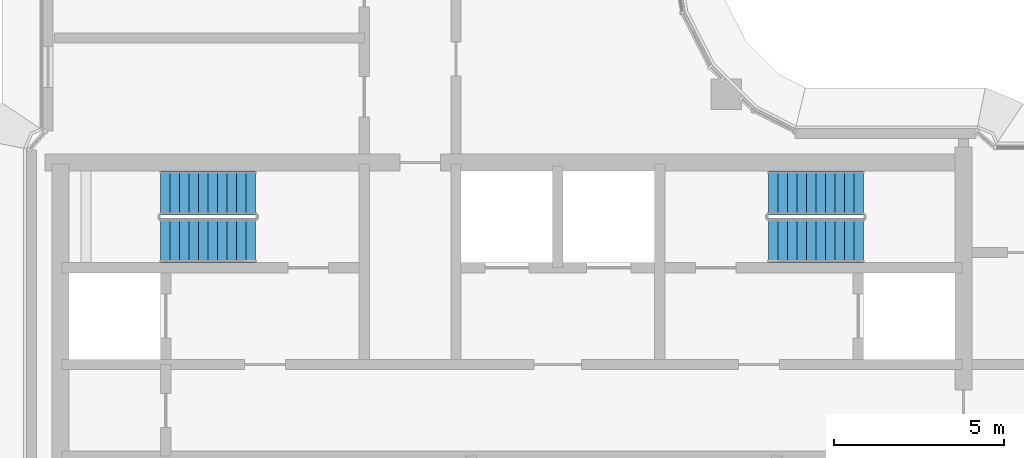
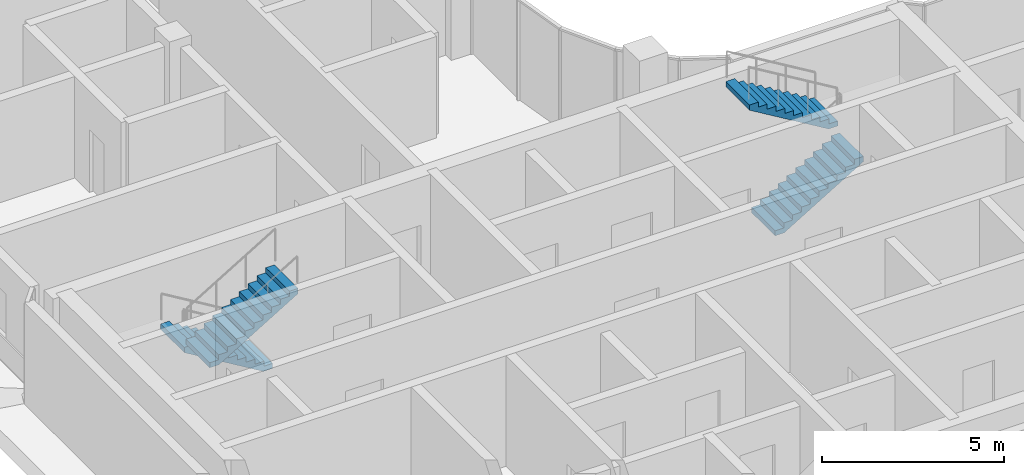
# One storey, part 14 of 20: 4 stair flights, 2 elements without a shape of their own.
"""IFC4 building model written with IfcOpenShell, lengths in metres."""

import ifcopenshell
import ifcopenshell.guid

model = None  # the IFC model being written
_history = None  # IfcOwnerHistory: only IFC2X3 demands one
_inside = {}  # id of a spatial element -> (the spatial element, [elements in it])
_under = {}  # id of a project, library or spatial element -> (it, [spatial elements below it])
_declared = {}  # id of a project -> (the project, [libraries it declares])
_typed = {}  # id of a type object -> (the type object, [elements of that type])
_made_of = {}  # id of a material, layer set ... -> (it, [elements and type objects made of it])


def new_model(schema):
    """Start an empty IFC model of exactly this schema.

    Asked for "IFC4X3", IfcOpenShell would pick the latest addendum, in which some entities
    have other attributes; the version numbers below select the first issue.
    IFC2X3 requires an IfcOwnerHistory on every rooted entity: one is made here for all.
    """
    global model, _history
    if schema == "IFC4X3":
        model = ifcopenshell.file(schema_version=(4, 3, 0, 0))
    else:
        model = ifcopenshell.file(schema=schema)
    _inside.clear()
    _under.clear()
    _declared.clear()
    _typed.clear()
    _made_of.clear()
    _history = None
    if model.schema == "IFC2X3":
        org = make("IfcOrganization", Name="unknown")
        user = make(
            "IfcPersonAndOrganization",
            ThePerson=make("IfcPerson", FamilyName="unknown"),
            TheOrganization=org,
        )
        app = make(
            "IfcApplication",
            ApplicationDeveloper=org,
            Version="unknown",
            ApplicationFullName="unknown",
            ApplicationIdentifier="unknown",
        )
        _history = make(
            "IfcOwnerHistory",
            OwningUser=user,
            OwningApplication=app,
            ChangeAction="ADDED",
            CreationDate=0,
        )
    return model


def make(cls, **values):
    """One entity of the class cls with the attributes given. An attribute that is None is left unset."""
    return model.create_entity(
        cls, **{name: value for name, value in values.items() if value is not None}
    )


def rooted(cls, **values):
    """An entity with a GlobalId (a new one), such as an element, a storey or a relation."""
    return make(cls, GlobalId=ifcopenshell.guid.new(), OwnerHistory=_history, **values)


def si_unit(unit_type, name, prefix=None):
    """IfcSIUnit, for example si_unit("LENGTHUNIT", "METRE", prefix="MILLI")."""
    return make("IfcSIUnit", UnitType=unit_type, Prefix=prefix, Name=name)


def assignment(units):
    """IfcUnitAssignment: the units of a project."""
    return None if units is None else make("IfcUnitAssignment", Units=units)


def point(xyz):
    """IfcCartesianPoint."""
    return None if xyz is None else make("IfcCartesianPoint", Coordinates=xyz)


def direction(xyz):
    """IfcDirection."""
    return None if xyz is None else make("IfcDirection", DirectionRatios=xyz)


def frame(location, z_axis=None, x_axis=None):
    """IfcAxis2Placement3D, a coordinate frame: its origin and axes. An axis left out is left unset."""
    return make(
        "IfcAxis2Placement3D",
        Location=point(location),
        Axis=direction(z_axis),
        RefDirection=direction(x_axis),
    )


def origin():
    """The frame at (0, 0, 0) with its axes left unset."""
    return frame((0.0, 0.0, 0.0))


def place(relative_to, where):
    """IfcLocalPlacement: puts the frame where relative to a parent placement (None: the world)."""
    return make(
        "IfcLocalPlacement", PlacementRelTo=relative_to, RelativePlacement=where
    )


def context(
    kind, dimensions, precision=None, world=None, true_north=None, identifier=None
):
    """IfcGeometricRepresentationContext, for example the 3D "Model" context."""
    return make(
        "IfcGeometricRepresentationContext",
        ContextIdentifier=identifier,
        ContextType=kind,
        CoordinateSpaceDimension=dimensions,
        Precision=precision,
        WorldCoordinateSystem=world,
        TrueNorth=true_north,
    )


def subcontext(parent, identifier, kind, view, scale=None):
    """IfcGeometricRepresentationSubContext, for example "Body" below "Model"."""
    return make(
        "IfcGeometricRepresentationSubContext",
        ContextIdentifier=identifier,
        ContextType=kind,
        ParentContext=parent,
        TargetScale=scale,
        TargetView=view,
    )


def project(units=None, contexts=None):
    """IfcProject with its units and contexts."""
    return rooted(
        "IfcProject",
        Name="project",
        RepresentationContexts=contexts,
        UnitsInContext=assignment(units),
    )


def spatial(cls, under=None, at=None, **own):
    """A site, building, storey or space (cls), placed at a placement, below another one or the project."""
    s = rooted(cls, ObjectPlacement=at, **own)
    if under is not None:
        _under.setdefault(under.id(), (under, []))[1].append(s)
    return s


def point_list(points):
    """IfcCartesianPointList2D or 3D."""
    cls = (
        "IfcCartesianPointList2D" if len(points[0]) == 2 else "IfcCartesianPointList3D"
    )
    return make(cls, CoordList=points)


def triangles(points, corners, closed=None, point_numbers=None):
    """IfcTriangulatedFaceSet: each triangle names its three corners, points numbered from 1."""
    return make(
        "IfcTriangulatedFaceSet",
        Coordinates=point_list(points),
        Closed=closed,
        CoordIndex=corners,
        PnIndex=point_numbers,
    )


def shape(context_of_items, identifier, shape_type, items):
    """IfcShapeRepresentation: the items that make up one representation, for example the "Body"."""
    return make(
        "IfcShapeRepresentation",
        ContextOfItems=context_of_items,
        RepresentationIdentifier=identifier,
        RepresentationType=shape_type,
        Items=items,
    )


def source(mapping_origin, context_of_items, identifier, shape_type, items):
    """IfcRepresentationMap: a shape defined once, which mapped items show again and again."""
    return make(
        "IfcRepresentationMap",
        MappingOrigin=mapping_origin,
        MappedRepresentation=shape(context_of_items, identifier, shape_type, items),
    )


def transform(
    local_origin,
    x_axis=None,
    y_axis=None,
    z_axis=None,
    scale=None,
    scale2=None,
    scale3=None,
    uniform=True,
):
    """IfcCartesianTransformationOperator3D, or its non-uniform kind. x_axis, y_axis, z_axis: its Axis1, 2, 3."""
    if uniform:
        return make(
            "IfcCartesianTransformationOperator3D",
            Axis1=direction(x_axis),
            Axis2=direction(y_axis),
            LocalOrigin=point(local_origin),
            Scale=scale,
            Axis3=direction(z_axis),
        )
    return make(
        "IfcCartesianTransformationOperator3DnonUniform",
        Axis1=direction(x_axis),
        Axis2=direction(y_axis),
        LocalOrigin=point(local_origin),
        Scale=scale,
        Axis3=direction(z_axis),
        Scale2=scale2,
        Scale3=scale3,
    )


def mapped(mapping_source, mapping_target):
    """IfcMappedItem: shows the shape of a source again, moved by a transform."""
    return make(
        "IfcMappedItem", MappingSource=mapping_source, MappingTarget=mapping_target
    )


def material(Name=None, Category=None):
    """IfcMaterial."""
    return make("IfcMaterial", Name=Name, Category=Category)


def made_of(thing, what):
    """Note that an element or type object is made of a material, layer set ...; save() writes the relation."""
    if what is not None:
        _made_of.setdefault(what.id(), (what, []))[1].append(thing)
    return thing


def type_object(cls, material=None, **own):
    """A type object (cls), such as IfcWallType, which elements share."""
    return made_of(rooted(cls, **own), material)


def element(
    cls,
    number,
    at=None,
    inside=None,
    cuts=None,
    type_object=None,
    material=None,
    context=None,
    identifier="Body",
    shape_type=None,
    held_by="IfcProductDefinitionShape",
    body=None,
    shapes=None,
    **own,
):
    """One element of the class cls, such as IfcWall. Its Tag is "e" and its number.

    at: its placement. inside: the storey or other place that contains it. cuts: it is an
    opening in that element (IfcRelVoidsElement). A single representation is given by context,
    identifier, shape_type and body (its items); several are given by shapes. held_by: the class
    of the entity that holds the representations. save() writes the other relations.
    """
    e = rooted(cls, Tag="e%d" % number, ObjectPlacement=at, **own)
    if body is not None:
        shapes = [shape(context, identifier, shape_type, body)]
    if shapes is not None:
        e.Representation = make(held_by, Representations=shapes)
    if inside is not None:
        _inside.setdefault(inside.id(), (inside, []))[1].append(e)
    if cuts is not None:
        rooted(
            "IfcRelVoidsElement", RelatingBuildingElement=cuts, RelatedOpeningElement=e
        )
    if type_object is not None:
        _typed.setdefault(type_object.id(), (type_object, []))[1].append(e)
    return made_of(e, material)


def aggregate(whole, parts):
    """IfcRelAggregates: a whole, such as a stair, and the parts it consists of."""
    return rooted("IfcRelAggregates", RelatingObject=whole, RelatedObjects=parts)


def save(model, path):
    """Write the relations noted so far, then the file.

    IfcRelAggregates (storeys below a building ...), IfcRelContainedInSpatialStructure (elements
    in a storey), IfcRelDefinesByType, IfcRelAssociatesMaterial and IfcRelDeclares: one each for
    every whole, place, type object, material and project.
    """
    for whole, parts in _under.values():
        aggregate(whole, parts)
    for where, things in _inside.values():
        rooted(
            "IfcRelContainedInSpatialStructure",
            RelatedElements=things,
            RelatingStructure=where,
        )
    for kind, things in _typed.values():
        rooted("IfcRelDefinesByType", RelatedObjects=things, RelatingType=kind)
    for what, things in _made_of.values():
        rooted("IfcRelAssociatesMaterial", RelatedObjects=things, RelatingMaterial=what)
    for by, libraries in _declared.values():
        rooted("IfcRelDeclares", RelatingContext=by, RelatedDefinitions=libraries)
    model.write(path)


model = new_model("IFC4")

# Units and contexts
model_context = context("Model", 3, precision=1e-05, world=origin(), true_north=direction((0.0, 1.0)))
body_context = subcontext(model_context, "Body", "Model", "MODEL_VIEW")
ifc_project = project(units=[si_unit("LENGTHUNIT", "METRE"), si_unit("AREAUNIT", "SQUARE_METRE"), si_unit("VOLUMEUNIT", "CUBIC_METRE"), si_unit("PLANEANGLEUNIT", "RADIAN"), si_unit("MASSUNIT", "GRAM", prefix="KILO")], contexts=[model_context])

# Site, building, storey
site_placement = place(None, origin())
site = spatial("IfcSite", under=ifc_project, at=site_placement, CompositionType="ELEMENT")
building_placement = place(site_placement, origin())
building = spatial("IfcBuilding", under=site, at=building_placement, Name="Ogive Portal Towers", CompositionType="ELEMENT")
storey_placement = place(building_placement, frame((0.0, 0.0, 214.300048828125)))
storey = spatial("IfcBuildingStorey", under=building, at=storey_placement, Name="L53", CompositionType="ELEMENT", Elevation=214.300048828125)

# Stair, stair flights
ifc_material = material(Name="Concrete C40/50", Category="concrete")
stair_type = type_object("IfcStairType", Name="INT-STAIR", PredefinedType="HALF_TURN_STAIR", material=ifc_material)
stair_1_placement = place(storey_placement, origin())
stair_1 = element("IfcStair", 1, at=stair_1_placement, inside=storey, type_object=stair_type, Name="L53 Exit Stair ST-A1", PredefinedType="HALF_TURN_STAIR")
stair_flight_type = type_object("IfcStairFlightType", Name="INT-FLIGHT", PredefinedType="STRAIGHT", material=ifc_material)
shared_shape = source(origin(), body_context, "Body", "Tessellation", [
    triangles([(0.0, -0.650146484375, 0.0), (0.0, -0.376220703125, 0.0), (0.0, -0.192626953125, 0.0), (0.0, -0.081298828125, 0.0), (0.0, -0.024169921875, 0.0), (0.0, -0.003173828125, 0.0), (0.0, 0.0, 0.0), (0.0, 0.0029296875, 0.0), (0.0, 0.02392578125, 0.0), (0.0, 0.0810546875, 0.0), (0.0, 0.1923828125, 0.0), (0.0, 0.3759765625, 0.0), (0.0, 0.64990234375, 0.0), (0.0, -0.650146484375, 0.168212890625), (0.0, -0.376220703125, 0.168212890625), (0.0, -0.192626953125, 0.168212890625), (0.0, -0.081298828125, 0.168212890625), (0.0, -0.024169921875, 0.168212890625), (0.0, -0.003173828125, 0.168212890625), (0.0, 0.0, 0.168212890625), (0.0, 0.0029296875, 0.168212890625), (0.0, 0.02392578125, 0.168212890625), (0.0, 0.0810546875, 0.168212890625), (0.0, 0.1923828125, 0.168212890625), (0.0, 0.3759765625, 0.168212890625), (0.0, 0.64990234375, 0.168212890625), (0.280029296875, -0.650146484375, 0.168212890625), (0.280029296875, -0.376220703125, 0.168212890625), (0.280029296875, -0.192626953125, 0.168212890625), (0.280029296875, -0.081298828125, 0.168212890625), (0.280029296875, -0.024169921875, 0.168212890625), (0.280029296875, -0.003173828125, 0.168212890625), (0.280029296875, 0.0, 0.168212890625), (0.280029296875, 0.0029296875, 0.168212890625), (0.280029296875, 0.02392578125, 0.168212890625), (0.280029296875, 0.0810546875, 0.168212890625), (0.280029296875, 0.1923828125, 0.168212890625), (0.280029296875, 0.3759765625, 0.168212890625), (0.280029296875, 0.64990234375, 0.168212890625), (0.280029296875, -0.650146484375, 0.33642578125), (0.280029296875, -0.376220703125, 0.33642578125), (0.280029296875, -0.192626953125, 0.33642578125), (0.280029296875, -0.081298828125, 0.33642578125), (0.280029296875, -0.024169921875, 0.33642578125), (0.280029296875, -0.003173828125, 0.33642578125), (0.280029296875, 0.0, 0.33642578125), (0.280029296875, 0.0029296875, 0.33642578125), (0.280029296875, 0.02392578125, 0.33642578125), (0.280029296875, 0.0810546875, 0.33642578125), (0.280029296875, 0.1923828125, 0.33642578125), (0.280029296875, 0.3759765625, 0.33642578125), (0.280029296875, 0.64990234375, 0.33642578125), (0.56005859375, -0.650146484375, 0.33642578125), (0.56005859375, -0.376220703125, 0.33642578125), (0.56005859375, -0.192626953125, 0.33642578125), (0.56005859375, -0.081298828125, 0.33642578125), (0.56005859375, -0.024169921875, 0.33642578125), (0.56005859375, -0.003173828125, 0.33642578125), (0.56005859375, 0.0, 0.33642578125), (0.56005859375, 0.0029296875, 0.33642578125), (0.56005859375, 0.02392578125, 0.33642578125), (0.56005859375, 0.0810546875, 0.33642578125), (0.56005859375, 0.1923828125, 0.33642578125), (0.56005859375, 0.3759765625, 0.33642578125), (0.56005859375, 0.64990234375, 0.33642578125), (0.56005859375, -0.650146484375, 0.504638671875), (0.56005859375, -0.376220703125, 0.504638671875), (0.56005859375, -0.192626953125, 0.504638671875), (0.56005859375, -0.081298828125, 0.504638671875), (0.56005859375, -0.024169921875, 0.504638671875), (0.56005859375, -0.003173828125, 0.504638671875), (0.56005859375, 0.0, 0.504638671875), (0.56005859375, 0.0029296875, 0.504638671875), (0.56005859375, 0.02392578125, 0.504638671875), (0.56005859375, 0.0810546875, 0.504638671875), (0.56005859375, 0.1923828125, 0.504638671875), (0.56005859375, 0.3759765625, 0.504638671875), (0.56005859375, 0.64990234375, 0.504638671875), (0.840087890625, -0.650146484375, 0.504638671875), (0.840087890625, -0.376220703125, 0.504638671875), (0.840087890625, -0.192626953125, 0.504638671875), (0.840087890625, -0.081298828125, 0.504638671875), (0.840087890625, -0.024169921875, 0.504638671875), (0.840087890625, -0.003173828125, 0.504638671875), (0.840087890625, 0.0, 0.504638671875), (0.840087890625, 0.0029296875, 0.504638671875), (0.840087890625, 0.02392578125, 0.504638671875), (0.840087890625, 0.0810546875, 0.504638671875), (0.840087890625, 0.1923828125, 0.504638671875), (0.840087890625, 0.3759765625, 0.504638671875), (0.840087890625, 0.64990234375, 0.504638671875), (0.840087890625, -0.650146484375, 0.672607421875), (0.840087890625, -0.376220703125, 0.672607421875), (0.840087890625, -0.192626953125, 0.672607421875), (0.840087890625, -0.081298828125, 0.672607421875), (0.840087890625, -0.024169921875, 0.672607421875), (0.840087890625, -0.003173828125, 0.672607421875), (0.840087890625, 0.0, 0.672607421875), (0.840087890625, 0.0029296875, 0.672607421875), (0.840087890625, 0.02392578125, 0.672607421875), (0.840087890625, 0.0810546875, 0.672607421875), (0.840087890625, 0.1923828125, 0.672607421875), (0.840087890625, 0.3759765625, 0.672607421875), (0.840087890625, 0.64990234375, 0.672607421875), (1.1201171875, -0.650146484375, 0.672607421875), (1.1201171875, -0.376220703125, 0.672607421875), (1.1201171875, -0.192626953125, 0.672607421875), (1.1201171875, -0.081298828125, 0.672607421875), (1.1201171875, -0.024169921875, 0.672607421875), (1.1201171875, -0.003173828125, 0.672607421875), (1.1201171875, 0.0, 0.672607421875), (1.1201171875, 0.0029296875, 0.672607421875), (1.1201171875, 0.02392578125, 0.672607421875), (1.1201171875, 0.0810546875, 0.672607421875), (1.1201171875, 0.1923828125, 0.672607421875), (1.1201171875, 0.3759765625, 0.672607421875), (1.1201171875, 0.64990234375, 0.672607421875), (1.1201171875, -0.650146484375, 0.8408203125), (1.1201171875, -0.376220703125, 0.8408203125), (1.1201171875, -0.192626953125, 0.8408203125), (1.1201171875, -0.081298828125, 0.8408203125), (1.1201171875, -0.024169921875, 0.8408203125), (1.1201171875, -0.003173828125, 0.8408203125), (1.1201171875, 0.0, 0.8408203125), (1.1201171875, 0.0029296875, 0.8408203125), (1.1201171875, 0.02392578125, 0.8408203125), (1.1201171875, 0.0810546875, 0.8408203125), (1.1201171875, 0.1923828125, 0.8408203125), (1.1201171875, 0.3759765625, 0.8408203125), (1.1201171875, 0.64990234375, 0.8408203125), (1.39990234375, -0.650146484375, 0.8408203125), (1.39990234375, -0.376220703125, 0.8408203125), (1.39990234375, -0.192626953125, 0.8408203125), (1.39990234375, -0.081298828125, 0.8408203125), (1.39990234375, -0.024169921875, 0.8408203125), (1.39990234375, -0.003173828125, 0.8408203125), (1.39990234375, 0.0, 0.8408203125), (1.39990234375, 0.0029296875, 0.8408203125), (1.39990234375, 0.02392578125, 0.8408203125), (1.39990234375, 0.0810546875, 0.8408203125), (1.39990234375, 0.1923828125, 0.8408203125), (1.39990234375, 0.3759765625, 0.8408203125), (1.39990234375, 0.64990234375, 0.8408203125), (1.39990234375, -0.650146484375, 1.009033203125), (1.39990234375, -0.376220703125, 1.009033203125), (1.39990234375, -0.192626953125, 1.009033203125), (1.39990234375, -0.081298828125, 1.009033203125), (1.39990234375, -0.024169921875, 1.009033203125), (1.39990234375, -0.003173828125, 1.009033203125), (1.39990234375, 0.0, 1.009033203125), (1.39990234375, 0.0029296875, 1.009033203125), (1.39990234375, 0.02392578125, 1.009033203125), (1.39990234375, 0.0810546875, 1.009033203125), (1.39990234375, 0.1923828125, 1.009033203125), (1.39990234375, 0.3759765625, 1.009033203125), (1.39990234375, 0.64990234375, 1.009033203125), (1.679931640625, -0.650146484375, 1.009033203125), (1.679931640625, -0.376220703125, 1.009033203125), (1.679931640625, -0.192626953125, 1.009033203125), (1.679931640625, -0.081298828125, 1.009033203125), (1.679931640625, -0.024169921875, 1.009033203125), (1.679931640625, -0.003173828125, 1.009033203125), (1.679931640625, 0.0, 1.009033203125), (1.679931640625, 0.0029296875, 1.009033203125), (1.679931640625, 0.02392578125, 1.009033203125), (1.679931640625, 0.0810546875, 1.009033203125), (1.679931640625, 0.1923828125, 1.009033203125), (1.679931640625, 0.3759765625, 1.009033203125), (1.679931640625, 0.64990234375, 1.009033203125), (1.679931640625, -0.650146484375, 1.17724609375), (1.679931640625, -0.376220703125, 1.17724609375), (1.679931640625, -0.192626953125, 1.17724609375), (1.679931640625, -0.081298828125, 1.17724609375), (1.679931640625, -0.024169921875, 1.17724609375), (1.679931640625, -0.003173828125, 1.17724609375), (1.679931640625, 0.0, 1.17724609375), (1.679931640625, 0.0029296875, 1.17724609375), (1.679931640625, 0.02392578125, 1.17724609375), (1.679931640625, 0.0810546875, 1.17724609375), (1.679931640625, 0.1923828125, 1.17724609375), (1.679931640625, 0.3759765625, 1.17724609375), (1.679931640625, 0.64990234375, 1.17724609375), (1.9599609375, -0.650146484375, 1.17724609375), (1.9599609375, -0.376220703125, 1.17724609375), (1.9599609375, -0.192626953125, 1.17724609375), (1.9599609375, -0.081298828125, 1.17724609375), (1.9599609375, -0.024169921875, 1.17724609375), (1.9599609375, -0.003173828125, 1.17724609375), (1.9599609375, 0.0, 1.17724609375), (1.9599609375, 0.0029296875, 1.17724609375), (1.9599609375, 0.02392578125, 1.17724609375), (1.9599609375, 0.0810546875, 1.17724609375), (1.9599609375, 0.1923828125, 1.17724609375), (1.9599609375, 0.3759765625, 1.17724609375), (1.9599609375, 0.64990234375, 1.17724609375), (1.9599609375, -0.650146484375, 1.345458984375), (1.9599609375, -0.376220703125, 1.345458984375), (1.9599609375, -0.192626953125, 1.345458984375), (1.9599609375, -0.081298828125, 1.345458984375), (1.9599609375, -0.024169921875, 1.345458984375), (1.9599609375, -0.003173828125, 1.345458984375), (1.9599609375, 0.0, 1.345458984375), (1.9599609375, 0.0029296875, 1.345458984375), (1.9599609375, 0.02392578125, 1.345458984375), (1.9599609375, 0.0810546875, 1.345458984375), (1.9599609375, 0.1923828125, 1.345458984375), (1.9599609375, 0.3759765625, 1.345458984375), (1.9599609375, 0.64990234375, 1.345458984375), (2.239990234375, -0.650146484375, 1.345458984375), (2.239990234375, -0.376220703125, 1.345458984375), (2.239990234375, -0.192626953125, 1.345458984375), (2.239990234375, -0.081298828125, 1.345458984375), (2.239990234375, -0.024169921875, 1.345458984375), (2.239990234375, -0.003173828125, 1.345458984375), (2.239990234375, 0.0, 1.345458984375), (2.239990234375, 0.0029296875, 1.345458984375), (2.239990234375, 0.02392578125, 1.345458984375), (2.239990234375, 0.0810546875, 1.345458984375), (2.239990234375, 0.1923828125, 1.345458984375), (2.239990234375, 0.3759765625, 1.345458984375), (2.239990234375, 0.64990234375, 1.345458984375), (2.239990234375, -0.650146484375, 1.513671875), (2.239990234375, -0.376220703125, 1.513671875), (2.239990234375, -0.192626953125, 1.513671875), (2.239990234375, -0.081298828125, 1.513671875), (2.239990234375, -0.024169921875, 1.513671875), (2.239990234375, -0.003173828125, 1.513671875), (2.239990234375, 0.0, 1.513671875), (2.239990234375, 0.0029296875, 1.513671875), (2.239990234375, 0.02392578125, 1.513671875), (2.239990234375, 0.0810546875, 1.513671875), (2.239990234375, 0.1923828125, 1.513671875), (2.239990234375, 0.3759765625, 1.513671875), (2.239990234375, 0.64990234375, 1.513671875), (2.52001953125, -0.650146484375, 1.513671875), (2.52001953125, -0.376220703125, 1.513671875), (2.52001953125, -0.192626953125, 1.513671875), (2.52001953125, -0.081298828125, 1.513671875), (2.52001953125, -0.024169921875, 1.513671875), (2.52001953125, -0.003173828125, 1.513671875), (2.52001953125, 0.0, 1.513671875), (2.52001953125, 0.0029296875, 1.513671875), (2.52001953125, 0.02392578125, 1.513671875), (2.52001953125, 0.0810546875, 1.513671875), (2.52001953125, 0.1923828125, 1.513671875), (2.52001953125, 0.3759765625, 1.513671875), (2.52001953125, 0.64990234375, 1.513671875), (2.52001953125, -0.650146484375, 1.681884765625), (2.52001953125, -0.376220703125, 1.681884765625), (2.52001953125, -0.192626953125, 1.681884765625), (2.52001953125, -0.081298828125, 1.681884765625), (2.52001953125, -0.024169921875, 1.681884765625), (2.52001953125, -0.003173828125, 1.681884765625), (2.52001953125, 0.0, 1.681884765625), (2.52001953125, 0.0029296875, 1.681884765625), (2.52001953125, 0.02392578125, 1.681884765625), (2.52001953125, 0.0810546875, 1.681884765625), (2.52001953125, 0.1923828125, 1.681884765625), (2.52001953125, 0.3759765625, 1.681884765625), (2.52001953125, 0.64990234375, 1.681884765625), (2.800048828125, -0.650146484375, 1.681884765625), (2.800048828125, -0.376220703125, 1.681884765625), (2.800048828125, -0.192626953125, 1.681884765625), (2.800048828125, -0.081298828125, 1.681884765625), (2.800048828125, -0.024169921875, 1.681884765625), (2.800048828125, -0.003173828125, 1.681884765625), (2.800048828125, 0.0, 1.681884765625), (2.800048828125, 0.0029296875, 1.681884765625), (2.800048828125, 0.02392578125, 1.681884765625), (2.800048828125, 0.0810546875, 1.681884765625), (2.800048828125, 0.1923828125, 1.681884765625), (2.800048828125, 0.3759765625, 1.681884765625), (2.800048828125, 0.64990234375, 1.681884765625), (2.800048828125, -0.650146484375, 1.5068359375), (2.800048828125, -0.376220703125, 1.5068359375), (2.800048828125, -0.192626953125, 1.5068359375), (2.800048828125, -0.081298828125, 1.5068359375), (2.800048828125, -0.024169921875, 1.5068359375), (2.800048828125, -0.003173828125, 1.5068359375), (2.800048828125, 0.0, 1.5068359375), (2.800048828125, 0.0029296875, 1.5068359375), (2.800048828125, 0.02392578125, 1.5068359375), (2.800048828125, 0.0810546875, 1.5068359375), (2.800048828125, 0.1923828125, 1.5068359375), (2.800048828125, 0.3759765625, 1.5068359375), (2.800048828125, 0.64990234375, 1.5068359375), (0.291015625, -0.650146484375, 0.0), (0.291015625, -0.376220703125, 0.0), (0.291015625, -0.192626953125, 0.0), (0.291015625, -0.081298828125, 0.0), (0.291015625, -0.024169921875, 0.0), (0.291015625, -0.003173828125, 0.0), (0.291015625, 0.0, 0.0), (0.291015625, 0.0029296875, 0.0), (0.291015625, 0.02392578125, 0.0), (0.291015625, 0.0810546875, 0.0), (0.291015625, 0.1923828125, 0.0), (0.291015625, 0.3759765625, 0.0), (0.291015625, 0.64990234375, 0.0)], [[1, 14, 15], [1, 15, 2], [2, 15, 16], [2, 16, 3], [3, 16, 17], [3, 17, 4], [4, 17, 18], [4, 18, 5], [5, 18, 19], [5, 19, 6], [6, 19, 20], [6, 20, 7], [7, 20, 21], [7, 21, 8], [8, 21, 22], [8, 22, 9], [9, 22, 23], [9, 23, 10], [10, 23, 24], [10, 24, 11], [11, 24, 25], [11, 25, 12], [12, 25, 26], [12, 26, 13], [14, 27, 28], [14, 28, 15], [15, 28, 29], [15, 29, 16], [16, 29, 30], [16, 30, 17], [17, 30, 31], [17, 31, 18], [18, 31, 32], [18, 32, 19], [19, 32, 33], [19, 33, 20], [20, 33, 34], [20, 34, 21], [21, 34, 35], [21, 35, 22], [22, 35, 36], [22, 36, 23], [23, 36, 37], [23, 37, 24], [24, 37, 38], [24, 38, 25], [25, 38, 39], [25, 39, 26], [27, 40, 41], [27, 41, 28], [28, 41, 42], [28, 42, 29], [29, 42, 43], [29, 43, 30], [30, 43, 44], [30, 44, 31], [31, 44, 45], [31, 45, 32], [32, 45, 46], [32, 46, 33], [33, 46, 47], [33, 47, 34], [34, 47, 48], [34, 48, 35], [35, 48, 49], [35, 49, 36], [36, 49, 50], [36, 50, 37], [37, 50, 51], [37, 51, 38], [38, 51, 52], [38, 52, 39], [40, 53, 54], [40, 54, 41], [41, 54, 55], [41, 55, 42], [42, 55, 56], [42, 56, 43], [43, 56, 57], [43, 57, 44], [44, 57, 58], [44, 58, 45], [45, 58, 59], [45, 59, 46], [46, 59, 60], [46, 60, 47], [47, 60, 61], [47, 61, 48], [48, 61, 62], [48, 62, 49], [49, 62, 63], [49, 63, 50], [50, 63, 64], [50, 64, 51], [51, 64, 65], [51, 65, 52], [53, 66, 67], [53, 67, 54], [54, 67, 68], [54, 68, 55], [55, 68, 69], [55, 69, 56], [56, 69, 70], [56, 70, 57], [57, 70, 71], [57, 71, 58], [58, 71, 72], [58, 72, 59], [59, 72, 73], [59, 73, 60], [60, 73, 74], [60, 74, 61], [61, 74, 75], [61, 75, 62], [62, 75, 76], [62, 76, 63], [63, 76, 77], [63, 77, 64], [64, 77, 78], [64, 78, 65], [66, 79, 80], [66, 80, 67], [67, 80, 81], [67, 81, 68], [68, 81, 82], [68, 82, 69], [69, 82, 83], [69, 83, 70], [70, 83, 84], [70, 84, 71], [71, 84, 85], [71, 85, 72], [72, 85, 86], [72, 86, 73], [73, 86, 87], [73, 87, 74], [74, 87, 88], [74, 88, 75], [75, 88, 89], [75, 89, 76], [76, 89, 90], [76, 90, 77], [77, 90, 91], [77, 91, 78], [79, 92, 93], [79, 93, 80], [80, 93, 94], [80, 94, 81], [81, 94, 95], [81, 95, 82], [82, 95, 96], [82, 96, 83], [83, 96, 97], [83, 97, 84], [84, 97, 98], [84, 98, 85], [85, 98, 99], [85, 99, 86], [86, 99, 100], [86, 100, 87], [87, 100, 101], [87, 101, 88], [88, 101, 102], [88, 102, 89], [89, 102, 103], [89, 103, 90], [90, 103, 104], [90, 104, 91], [92, 105, 106], [92, 106, 93], [93, 106, 107], [93, 107, 94], [94, 107, 108], [94, 108, 95], [95, 108, 109], [95, 109, 96], [96, 109, 110], [96, 110, 97], [97, 110, 111], [97, 111, 98], [98, 111, 112], [98, 112, 99], [99, 112, 113], [99, 113, 100], [100, 113, 114], [100, 114, 101], [101, 114, 115], [101, 115, 102], [102, 115, 116], [102, 116, 103], [103, 116, 117], [103, 117, 104], [105, 118, 119], [105, 119, 106], [106, 119, 120], [106, 120, 107], [107, 120, 121], [107, 121, 108], [108, 121, 122], [108, 122, 109], [109, 122, 123], [109, 123, 110], [110, 123, 124], [110, 124, 111], [111, 124, 125], [111, 125, 112], [112, 125, 126], [112, 126, 113], [113, 126, 127], [113, 127, 114], [114, 127, 128], [114, 128, 115], [115, 128, 129], [115, 129, 116], [116, 129, 130], [116, 130, 117], [118, 131, 132], [118, 132, 119], [119, 132, 133], [119, 133, 120], [120, 133, 134], [120, 134, 121], [121, 134, 135], [121, 135, 122], [122, 135, 136], [122, 136, 123], [123, 136, 137], [123, 137, 124], [124, 137, 138], [124, 138, 125], [125, 138, 139], [125, 139, 126], [126, 139, 140], [126, 140, 127], [127, 140, 141], [127, 141, 128], [128, 141, 142], [128, 142, 129], [129, 142, 143], [129, 143, 130], [131, 144, 145], [131, 145, 132], [132, 145, 146], [132, 146, 133], [133, 146, 147], [133, 147, 134], [134, 147, 148], [134, 148, 135], [135, 148, 149], [135, 149, 136], [136, 149, 150], [136, 150, 137], [137, 150, 151], [137, 151, 138], [138, 151, 152], [138, 152, 139], [139, 152, 153], [139, 153, 140], [140, 153, 154], [140, 154, 141], [141, 154, 155], [141, 155, 142], [142, 155, 156], [142, 156, 143], [144, 157, 158], [144, 158, 145], [145, 158, 159], [145, 159, 146], [146, 159, 160], [146, 160, 147], [147, 160, 161], [147, 161, 148], [148, 161, 162], [148, 162, 149], [149, 162, 163], [149, 163, 150], [150, 163, 164], [150, 164, 151], [151, 164, 165], [151, 165, 152], [152, 165, 166], [152, 166, 153], [153, 166, 167], [153, 167, 154], [154, 167, 168], [154, 168, 155], [155, 168, 169], [155, 169, 156], [157, 170, 171], [157, 171, 158], [158, 171, 172], [158, 172, 159], [159, 172, 173], [159, 173, 160], [160, 173, 174], [160, 174, 161], [161, 174, 175], [161, 175, 162], [162, 175, 176], [162, 176, 163], [163, 176, 177], [163, 177, 164], [164, 177, 178], [164, 178, 165], [165, 178, 179], [165, 179, 166], [166, 179, 180], [166, 180, 167], [167, 180, 181], [167, 181, 168], [168, 181, 182], [168, 182, 169], [170, 183, 184], [170, 184, 171], [171, 184, 185], [171, 185, 172], [172, 185, 186], [172, 186, 173], [173, 186, 187], [173, 187, 174], [174, 187, 188], [174, 188, 175], [175, 188, 189], [175, 189, 176], [176, 189, 190], [176, 190, 177], [177, 190, 191], [177, 191, 178], [178, 191, 192], [178, 192, 179], [179, 192, 193], [179, 193, 180], [180, 193, 194], [180, 194, 181], [181, 194, 195], [181, 195, 182], [183, 196, 197], [183, 197, 184], [184, 197, 198], [184, 198, 185], [185, 198, 199], [185, 199, 186], [186, 199, 200], [186, 200, 187], [187, 200, 201], [187, 201, 188], [188, 201, 202], [188, 202, 189], [189, 202, 203], [189, 203, 190], [190, 203, 204], [190, 204, 191], [191, 204, 205], [191, 205, 192], [192, 205, 206], [192, 206, 193], [193, 206, 207], [193, 207, 194], [194, 207, 208], [194, 208, 195], [196, 209, 210], [196, 210, 197], [197, 210, 211], [197, 211, 198], [198, 211, 212], [198, 212, 199], [199, 212, 213], [199, 213, 200], [200, 213, 214], [200, 214, 201], [201, 214, 215], [201, 215, 202], [202, 215, 216], [202, 216, 203], [203, 216, 217], [203, 217, 204], [204, 217, 218], [204, 218, 205], [205, 218, 219], [205, 219, 206], [206, 219, 220], [206, 220, 207], [207, 220, 221], [207, 221, 208], [209, 222, 223], [209, 223, 210], [210, 223, 224], [210, 224, 211], [211, 224, 225], [211, 225, 212], [212, 225, 226], [212, 226, 213], [213, 226, 227], [213, 227, 214], [214, 227, 228], [214, 228, 215], [215, 228, 229], [215, 229, 216], [216, 229, 230], [216, 230, 217], [217, 230, 231], [217, 231, 218], [218, 231, 232], [218, 232, 219], [219, 232, 233], [219, 233, 220], [220, 233, 234], [220, 234, 221], [222, 235, 236], [222, 236, 223], [223, 236, 237], [223, 237, 224], [224, 237, 238], [224, 238, 225], [225, 238, 239], [225, 239, 226], [226, 239, 240], [226, 240, 227], [227, 240, 241], [227, 241, 228], [228, 241, 242], [228, 242, 229], [229, 242, 243], [229, 243, 230], [230, 243, 244], [230, 244, 231], [231, 244, 245], [231, 245, 232], [232, 245, 246], [232, 246, 233], [233, 246, 247], [233, 247, 234], [235, 248, 249], [235, 249, 236], [236, 249, 250], [236, 250, 237], [237, 250, 251], [237, 251, 238], [238, 251, 252], [238, 252, 239], [239, 252, 253], [239, 253, 240], [240, 253, 254], [240, 254, 241], [241, 254, 255], [241, 255, 242], [242, 255, 256], [242, 256, 243], [243, 256, 257], [243, 257, 244], [244, 257, 258], [244, 258, 245], [245, 258, 259], [245, 259, 246], [246, 259, 260], [246, 260, 247], [248, 261, 262], [248, 262, 249], [249, 262, 263], [249, 263, 250], [250, 263, 264], [250, 264, 251], [251, 264, 265], [251, 265, 252], [252, 265, 266], [252, 266, 253], [253, 266, 267], [253, 267, 254], [254, 267, 268], [254, 268, 255], [255, 268, 269], [255, 269, 256], [256, 269, 270], [256, 270, 257], [257, 270, 271], [257, 271, 258], [258, 271, 272], [258, 272, 259], [259, 272, 273], [259, 273, 260], [261, 274, 275], [261, 275, 262], [262, 275, 276], [262, 276, 263], [263, 276, 277], [263, 277, 264], [264, 277, 278], [264, 278, 265], [265, 278, 279], [265, 279, 266], [266, 279, 280], [266, 280, 267], [267, 280, 281], [267, 281, 268], [268, 281, 282], [268, 282, 269], [269, 282, 283], [269, 283, 270], [270, 283, 284], [270, 284, 271], [271, 284, 285], [271, 285, 272], [272, 285, 286], [272, 286, 273], [274, 287, 288], [274, 288, 275], [275, 288, 289], [275, 289, 276], [276, 289, 290], [276, 290, 277], [277, 290, 291], [277, 291, 278], [278, 291, 292], [278, 292, 279], [279, 292, 293], [279, 293, 280], [280, 293, 294], [280, 294, 281], [281, 294, 295], [281, 295, 282], [282, 295, 296], [282, 296, 283], [283, 296, 297], [283, 297, 284], [284, 297, 298], [284, 298, 285], [285, 298, 299], [285, 299, 286], [287, 1, 2], [287, 2, 288], [288, 2, 3], [288, 3, 289], [289, 3, 4], [289, 4, 290], [290, 4, 5], [290, 5, 291], [291, 5, 6], [291, 6, 292], [292, 6, 7], [292, 7, 293], [293, 7, 8], [293, 8, 294], [294, 8, 9], [294, 9, 295], [295, 9, 10], [295, 10, 296], [296, 10, 11], [296, 11, 297], [297, 11, 12], [297, 12, 298], [298, 12, 13], [298, 13, 299], [1, 287, 274], [13, 286, 299], [274, 261, 248], [286, 260, 273], [274, 248, 235], [286, 247, 260], [274, 235, 222], [286, 234, 247], [274, 222, 209], [286, 221, 234], [209, 196, 183], [221, 195, 208], [274, 209, 183], [286, 195, 221], [183, 170, 157], [195, 169, 182], [274, 183, 157], [286, 169, 195], [157, 144, 131], [169, 143, 156], [274, 157, 131], [286, 143, 169], [131, 118, 105], [143, 117, 130], [274, 131, 105], [286, 117, 143], [1, 274, 105], [13, 117, 286], [105, 92, 79], [117, 91, 104], [79, 66, 53], [91, 65, 78], [105, 79, 53], [117, 65, 91], [53, 40, 27], [65, 39, 52], [105, 53, 27], [117, 39, 65], [1, 105, 27], [13, 39, 117], [27, 14, 1], [39, 13, 26]], closed=True),
])
stair_flight_1_placement = place(storey_placement, frame((37.449951171875, 38.39990234375, 0.0), z_axis=(0.0, 0.0, 1.0), x_axis=(-1.0, 0.0, 0.0)))
stair_flight_1 = element("IfcStairFlight", 2, at=stair_flight_1_placement, type_object=stair_flight_type, Name="ST-A1 flight 1", NumberOfRisers=11, NumberOfTreads=10, PredefinedType="STRAIGHT", RiserHeight=0.168181818, TreadLength=0.28, context=body_context, shape_type="MappedRepresentation", body=[
    mapped(shared_shape, transform((0.0, 0.0, 0.0), scale=1.0)),
])
stair_flight_2_placement = place(storey_placement, frame((34.64990234375, 37.0, 1.849853515625), z_axis=(0.0, 0.0, 1.0), x_axis=(1.0, 0.0, 0.0)))
stair_flight_2 = element("IfcStairFlight", 3, at=stair_flight_2_placement, type_object=stair_flight_type, Name="ST-A1 flight 2", NumberOfRisers=11, NumberOfTreads=10, PredefinedType="STRAIGHT", RiserHeight=0.168181818, TreadLength=0.28, context=body_context, shape_type="MappedRepresentation", body=[
    mapped(shared_shape, transform((0.0, 0.0, 0.0), scale=1.0)),
])
aggregate(stair_1, [stair_flight_1, stair_flight_2])

stair_2_placement = place(storey_placement, origin())
stair_2 = element("IfcStair", 4, at=stair_2_placement, inside=storey, type_object=stair_type, Name="L53 Exit Stair ST-A2", PredefinedType="HALF_TURN_STAIR")
stair_flight_3_placement = place(storey_placement, frame((52.550048828125, 37.0, 0.0), z_axis=(0.0, 0.0, 1.0), x_axis=(1.0, 0.0, 0.0)))
stair_flight_3 = element("IfcStairFlight", 5, at=stair_flight_3_placement, type_object=stair_flight_type, Name="ST-A2 flight 1", NumberOfRisers=11, NumberOfTreads=10, PredefinedType="STRAIGHT", RiserHeight=0.168181818, TreadLength=0.28, context=body_context, shape_type="MappedRepresentation", body=[
    mapped(shared_shape, transform((0.0, 0.0, 0.0), scale=1.0)),
])
stair_flight_4_placement = place(storey_placement, frame((55.35009765625, 38.39990234375, 1.849853515625), z_axis=(0.0, 0.0, 1.0), x_axis=(-1.0, 0.0, 0.0)))
stair_flight_4 = element("IfcStairFlight", 6, at=stair_flight_4_placement, type_object=stair_flight_type, Name="ST-A2 flight 2", NumberOfRisers=11, NumberOfTreads=10, PredefinedType="STRAIGHT", RiserHeight=0.168181818, TreadLength=0.28, context=body_context, shape_type="MappedRepresentation", body=[
    mapped(shared_shape, transform((0.0, 0.0, 0.0), scale=1.0)),
])
aggregate(stair_2, [stair_flight_3, stair_flight_4])

save(model, "model.ifc")
